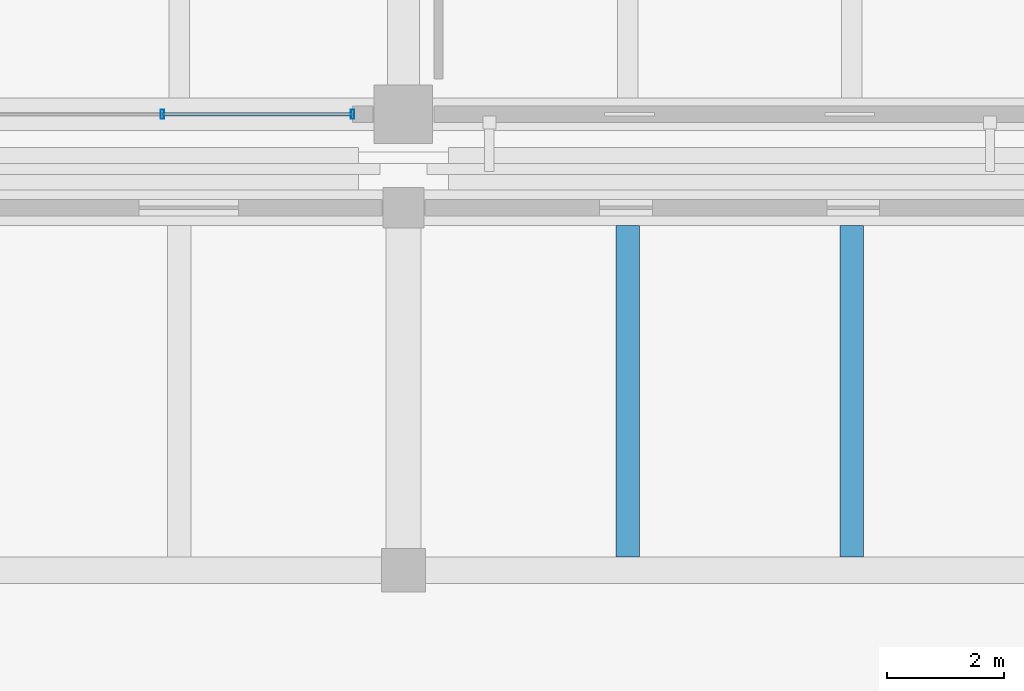
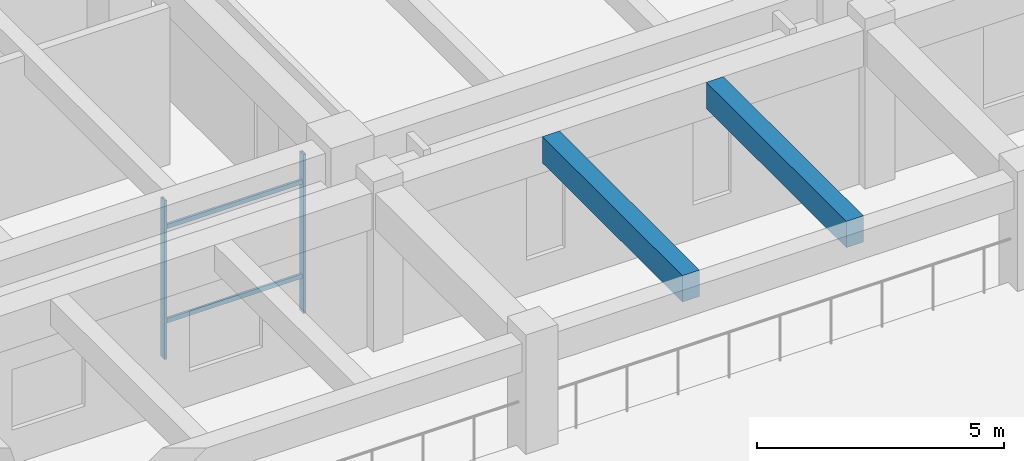
# One storey, part 66 of 109: 4 members, 2 beams, 1 element without a shape of its own.
"""IFC4 building model written with IfcOpenShell, lengths in metres."""

from ifc_helpers import new_model, si_unit, direction, frame, origin, origin_2d, place, context, subcontext, project, spatial, rectangle, hollow_rectangle, extrude, material, material_profile, profile_set, type_object, element, aggregate, save


model = new_model("IFC4")

# Units and contexts
model_context = context("Model", 3, precision=1e-05, world=origin(), true_north=direction((0.0, 1.0)))
body_context = subcontext(model_context, "Body", "Model", "MODEL_VIEW")
ifc_project = project(units=[si_unit("LENGTHUNIT", "METRE"), si_unit("AREAUNIT", "SQUARE_METRE"), si_unit("VOLUMEUNIT", "CUBIC_METRE"), si_unit("PLANEANGLEUNIT", "RADIAN"), si_unit("MASSUNIT", "GRAM", prefix="KILO")], contexts=[model_context])

# Site, building, storey
site_placement = place(None, origin())
site = spatial("IfcSite", under=ifc_project, at=site_placement, CompositionType="ELEMENT")
building_placement = place(site_placement, origin())
building = spatial("IfcBuilding", under=site, at=building_placement, Name="Ologun Quay Terminus", CompositionType="ELEMENT")
storey_placement = place(building_placement, origin())
storey = spatial("IfcBuildingStorey", under=building, at=storey_placement, Name="L00", CompositionType="ELEMENT", Elevation=0.0)

# Curtain wall, members
ifc_material_1 = material(Name="Aluminium 6063-T6", Category="aluminium")
curtain_wall_type = type_object("IfcCurtainWallType", Name="Waterfront Pavilion Harbour Curtain Wall L00 10500x3750", PredefinedType="USERDEFINED", material=ifc_material_1)
curtain_wall_placement = place(storey_placement, origin())
curtain_wall = element("IfcCurtainWall", 1, at=curtain_wall_placement, inside=storey, type_object=curtain_wall_type, Name="CW-22 Curtain Wall CW-L00-119", ObjectType="UNITISED CURTAIN WALL", PredefinedType="USERDEFINED")
ifc_material_2 = material(Name="Aluminium 6063-T6", Category="aluminium")
ifc_material_profile_1 = material_profile(ifc_material_2, hollow_rectangle(XDim=0.06005859375, YDim=0.159912109375, WallThickness=0.00390625, at=origin_2d()), Name="ALU 160x60x4")
ifc_profile_set_1 = profile_set([ifc_material_profile_1], Name="Aluminium 6063-T6")
member_type_1 = type_object("IfcMemberType", Name="Courtyard Screen Mullion 160x65", PredefinedType="MULLION", material=ifc_profile_set_1)
member_1_placement = place(storey_placement, frame((145.376708984375, 85.800048828125, 0.0), z_axis=(0.0, 0.0, 1.0), x_axis=(1.0, 0.0, 0.0)))
member_1 = element("IfcMember", 2, at=member_1_placement, type_object=member_type_1, Name="CW-L00-119 Mullion 3", PredefinedType="MULLION", context=body_context, shape_type="SweptSolid", body=[
    extrude(hollow_rectangle(XDim=0.06005859375, YDim=0.159912109375, WallThickness=0.00390625, at=origin_2d()), origin(), (0.0, 0.0, 1.0), 3.929931640625),
])
member_2_placement = place(storey_placement, frame((148.6298828125, 85.800048828125, 0.0), z_axis=(0.0, 0.0, 1.0), x_axis=(1.0, 0.0, 0.0)))
member_2 = element("IfcMember", 3, at=member_2_placement, type_object=member_type_1, Name="CW-L00-119 Mullion 4", PredefinedType="MULLION", context=body_context, shape_type="SweptSolid", body=[
    extrude(hollow_rectangle(XDim=0.06005859375, YDim=0.159912109375, WallThickness=0.00390625, at=origin_2d()), origin(), (0.0, 0.0, 1.0), 3.929931640625),
])
ifc_material_3 = material(Name="Aluminium 6063-T6", Category="aluminium")
ifc_material_profile_2 = material_profile(ifc_material_3, hollow_rectangle(XDim=0.054931640625, YDim=0.110107421875, WallThickness=0.00390625, at=origin_2d()), Name="ALU 110x55x4")
ifc_profile_set_2 = profile_set([ifc_material_profile_2], Name="Aluminium 6063-T6")
member_type_2 = type_object("IfcMemberType", Name="Courtyard Screen Transom 110x55", PredefinedType="USERDEFINED", material=ifc_profile_set_2)
member_3_placement = place(storey_placement, frame((145.376708984375, 85.800048828125, 0.89990234375), z_axis=(1.0, 0.0, 0.0), x_axis=(0.0, 1.0, 0.0)))
member_3 = element("IfcMember", 4, at=member_3_placement, type_object=member_type_2, Name="CW-L00-119 Transom B3-1", ObjectType="TRANSOM", PredefinedType="USERDEFINED", context=body_context, shape_type="SweptSolid", body=[
    extrude(hollow_rectangle(XDim=0.054931640625, YDim=0.110107421875, WallThickness=0.00390625, at=origin_2d()), origin(), (0.0, 0.0, 1.0), 3.253173828125),
])
member_4_placement = place(storey_placement, frame((145.376708984375, 85.800048828125, 3.22998046875), z_axis=(1.0, 0.0, 0.0), x_axis=(0.0, 1.0, 0.0)))
member_4 = element("IfcMember", 5, at=member_4_placement, type_object=member_type_2, Name="CW-L00-119 Transom B3-2", ObjectType="TRANSOM", PredefinedType="USERDEFINED", context=body_context, shape_type="SweptSolid", body=[
    extrude(hollow_rectangle(XDim=0.054931640625, YDim=0.110107421875, WallThickness=0.00390625, at=origin_2d()), origin(), (0.0, 0.0, 1.0), 3.253173828125),
])
aggregate(curtain_wall, [member_1, member_2, member_3, member_4])

# Beams
ifc_material_4 = material(Name="Concrete C40/50", Category="concrete")
ifc_material_profile_3 = material_profile(ifc_material_4, rectangle(XDim=0.39990234375, YDim=0.64990234375, at=origin_2d()), Name="RC 400x650")
ifc_profile_set_3 = profile_set([ifc_material_profile_3], Name="Concrete C40/50")
beam_type = type_object("IfcBeamType", Name="Station Secondary Joist 400x650", PredefinedType="JOIST", material=ifc_profile_set_3)
for number, where, z_axis, x_axis, name in (
    (6, (153.333251953125, 78.22509765625, 3.574951171875), (0.0, 1.0, 0.0), (-1.0, 0.0, 0.0), "J1 Beam 14/F L00"),
    (7, (157.166748046875, 78.22509765625, 3.574951171875), (0.0, 1.0, 0.0), (-1.0, 0.0, 0.0), "J1 Beam 14/F L00"),
):
    element("IfcBeam", number, at=place(storey_placement, frame(where, z_axis=z_axis, x_axis=x_axis)), inside=storey, type_object=beam_type, Name=name, PredefinedType="JOIST", context=body_context, shape_type="SweptSolid", body=[
        extrude(rectangle(XDim=0.39990234375, YDim=0.64990234375, at=origin_2d()), origin(), (0.0, 0.0, 1.0), 5.6748046875),
    ])

save(model, "model.ifc")
